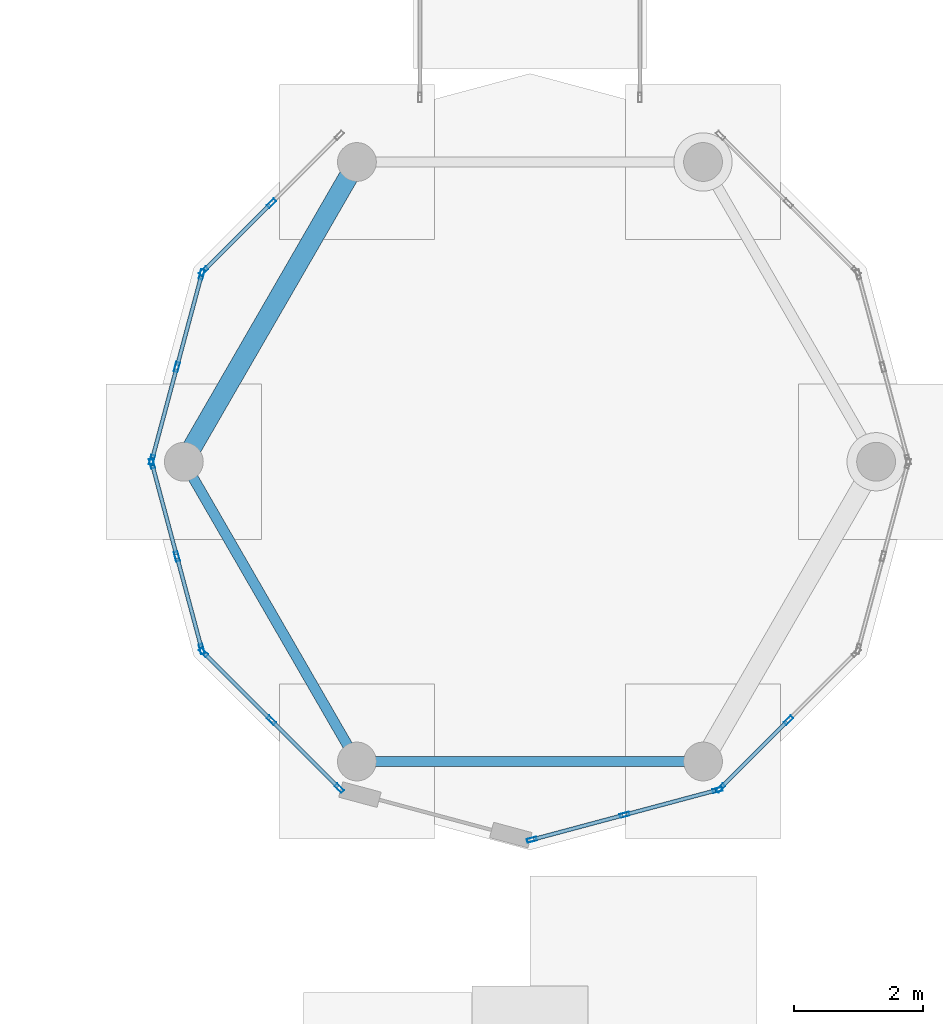
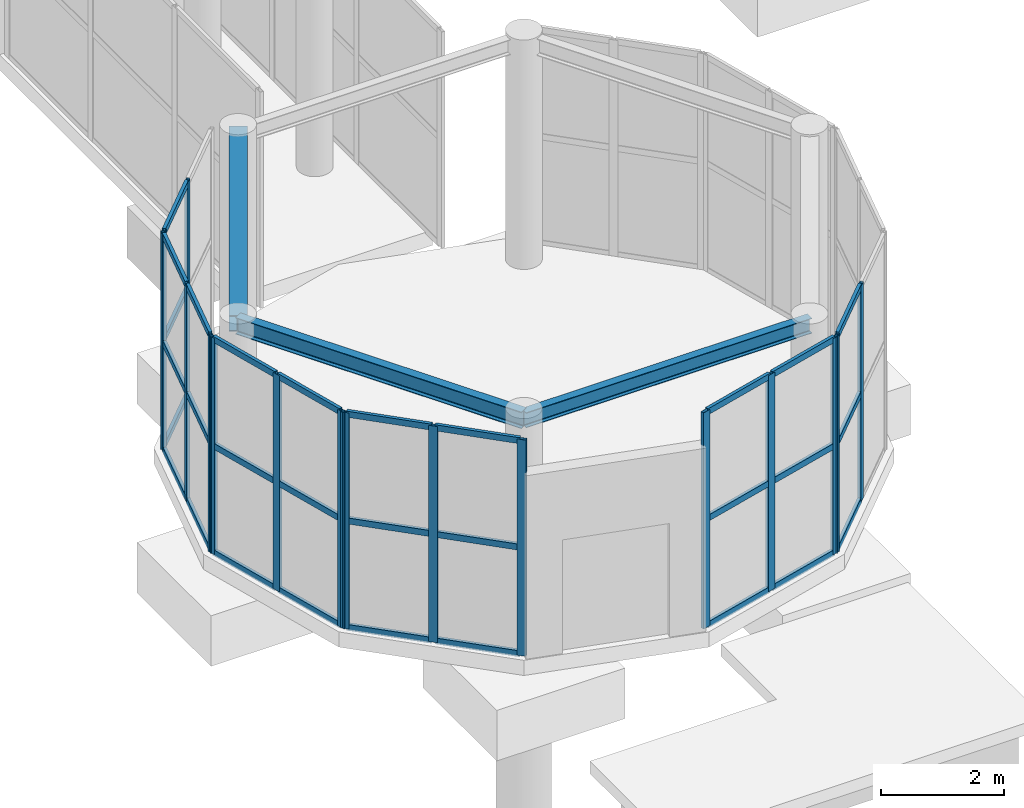
# One storey, part 50 of 139: 46 members, 3 beams, 6 elements without a shape of their own.
"""IFC4 building model written with IfcOpenShell, lengths in metres."""

from ifc_helpers import new_model, si_unit, direction, frame, origin, origin_2d, place, context, subcontext, project, spatial, hollow_rectangle, i_section, extrude, material, layer, layer_set, material_profile, profile_set, type_object, element, aggregate, save


model = new_model("IFC4")

# Units and contexts
model_context = context("Model", 3, precision=1e-05, world=origin(), true_north=direction((0.0, 1.0)))
body_context = subcontext(model_context, "Body", "Model", "MODEL_VIEW")
ifc_project = project(units=[si_unit("LENGTHUNIT", "METRE"), si_unit("AREAUNIT", "SQUARE_METRE"), si_unit("VOLUMEUNIT", "CUBIC_METRE"), si_unit("PLANEANGLEUNIT", "RADIAN"), si_unit("MASSUNIT", "GRAM", prefix="KILO")], contexts=[model_context])

# Site, building, storey
site_placement = place(None, origin())
site = spatial("IfcSite", under=ifc_project, at=site_placement, CompositionType="ELEMENT")
building_placement = place(site_placement, origin())
building = spatial("IfcBuilding", under=site, at=building_placement, Name="Zizhar Promenade General Hospital", CompositionType="ELEMENT")
storey_placement = place(building_placement, origin())
storey = spatial("IfcBuildingStorey", under=building, at=storey_placement, Name="L00", CompositionType="ELEMENT", Elevation=0.0)

# Beams
ifc_material_1 = material(Name="Steel S355", Category="steel")
ifc_material_profile_1 = material_profile(ifc_material_1, i_section(OverallWidth=0.300048828125, OverallDepth=0.320068359375, WebThickness=0.011474609375, FlangeThickness=0.0205078125, FilletRadius=0.027099609375, at=origin_2d()))
ifc_profile_set_1 = profile_set([ifc_material_profile_1], Name="Steel S355")
beam_type_1 = type_object("IfcBeamType", Name="BM-STL-HEB320", PredefinedType="BEAM", material=ifc_profile_set_1)
beam_1_placement = place(storey_placement, frame((161.324951171875, 32.63330078125, 4.340087890625), z_axis=(-0.500001594578, -0.866024483152, 0.0), x_axis=(0.866024483152, -0.500001594578, 0.0)))
element("IfcBeam", 1, at=beam_1_placement, inside=storey, type_object=beam_type_1, Name="PAV-2 Roof Ring Beam 3", PredefinedType="BEAM", context=body_context, shape_type="SweptSolid", body=[
    extrude(i_section(OverallWidth=0.300048828125, OverallDepth=0.320068359375, WebThickness=0.011474609375, FlangeThickness=0.0205078125, FilletRadius=0.027099609375, at=origin_2d()), origin(), (0.0, 0.0, 1.0), 5.35009765625),
])
ifc_material_2 = material(Name="Steel S355", Category="steel")
ifc_material_profile_2 = material_profile(ifc_material_2, i_section(OverallWidth=0.14990234375, OverallDepth=0.300048828125, WebThickness=0.007080078125, FlangeThickness=0.0107421875, FilletRadius=0.014892578125, at=origin_2d()))
ifc_profile_set_2 = profile_set([ifc_material_profile_2], Name="Steel S355")
beam_type_2 = type_object("IfcBeamType", Name="BM-STL-IPE300", PredefinedType="JOIST", material=ifc_profile_set_2)
beam_2_placement = place(storey_placement, frame((161.324951171875, 23.36669921875, 4.340087890625), z_axis=(1.0, 0.0, 0.0), x_axis=(0.0, 1.0, 0.0)))
element("IfcBeam", 2, at=beam_2_placement, inside=storey, type_object=beam_type_2, Name="PAV-2 Roof Ring Beam 5", PredefinedType="JOIST", context=body_context, shape_type="SweptSolid", body=[
    extrude(i_section(OverallWidth=0.14990234375, OverallDepth=0.300048828125, WebThickness=0.007080078125, FlangeThickness=0.0107421875, FilletRadius=0.014892578125, at=origin_2d()), origin(), (0.0, 0.0, 1.0), 5.35009765625),
])
ifc_material_3 = material(Name="Steel S355", Category="steel")
ifc_material_profile_3 = material_profile(ifc_material_3, i_section(OverallWidth=0.159912109375, OverallDepth=0.330078125, WebThickness=0.007568359375, FlangeThickness=0.011474609375, FilletRadius=0.01806640625, at=origin_2d()))
ifc_profile_set_3 = profile_set([ifc_material_profile_3], Name="Steel S355")
beam_type_3 = type_object("IfcBeamType", Name="BM-STL-IPE330", PredefinedType="JOIST", material=ifc_profile_set_3)
beam_3_placement = place(storey_placement, frame((158.64990234375, 28.0, 4.340087890625), z_axis=(0.500001594578, -0.866024483152, 0.0), x_axis=(0.866024483152, 0.500001594578, 0.0)))
element("IfcBeam", 3, at=beam_3_placement, inside=storey, type_object=beam_type_3, Name="PAV-2 Roof Ring Beam 4", PredefinedType="JOIST", context=body_context, shape_type="SweptSolid", body=[
    extrude(i_section(OverallWidth=0.159912109375, OverallDepth=0.330078125, WebThickness=0.007568359375, FlangeThickness=0.011474609375, FilletRadius=0.01806640625, at=origin_2d()), origin(), (0.0, 0.0, 1.0), 5.35009765625),
])

# Curtain wall, members
ifc_material_4 = material(Name="Anodised aluminium 6063-T6 and low-E glass", Category="aluminium")
ifc_layer = layer(ifc_material_4, 0.159912109375)
ifc_layer_set = layer_set([ifc_layer], Name="Anodised aluminium 6063-T6 and low-E glass")
curtain_wall_type = type_object("IfcCurtainWallType", Name="CW-PAV-GLZ", PredefinedType="NOTDEFINED", material=ifc_layer_set)
curtain_wall_1_placement = place(storey_placement, origin())
curtain_wall_1 = element("IfcCurtainWall", 4, at=curtain_wall_1_placement, inside=storey, type_object=curtain_wall_type, Name="Pharmacy Collection Pavilion Curved Glazing 5", PredefinedType="NOTDEFINED")
ifc_material_5 = material(Name="Anodised aluminium 6063-T6", Category="aluminium")
ifc_material_profile_4 = material_profile(ifc_material_5, hollow_rectangle(XDim=0.06005859375, YDim=0.14990234375, WallThickness=0.00390625, at=origin_2d()))
ifc_profile_set_4 = profile_set([ifc_material_profile_4], Name="Anodised aluminium 6063-T6")
member_type_1 = type_object("IfcMemberType", Name="CWM-ALU-150x60", PredefinedType="MULLION", material=ifc_profile_set_4)
member_1_placement = place(storey_placement, frame((158.955078125, 30.9462890625, 0.0), z_axis=(0.0, 0.0, 1.0), x_axis=(-0.707106781187, 0.707106781187, 0.0)))
member_1 = element("IfcMember", 5, at=member_1_placement, type_object=member_type_1, Name="CW-14 mullion 1", PredefinedType="MULLION", context=body_context, shape_type="SweptSolid", body=[
    extrude(hollow_rectangle(XDim=0.06005859375, YDim=0.14990234375, WallThickness=0.00390625, at=origin_2d()), origin(), (0.0, 0.0, 1.0), 4.280029296875),
])
member_2_placement = place(storey_placement, frame((160.00439453125, 31.99560546875, 0.0), z_axis=(0.0, 0.0, 1.0), x_axis=(-0.707106781187, 0.707106781187, 0.0)))
member_2 = element("IfcMember", 6, at=member_2_placement, type_object=member_type_1, Name="CW-14 mullion 2", PredefinedType="MULLION", context=body_context, shape_type="SweptSolid", body=[
    extrude(hollow_rectangle(XDim=0.06005859375, YDim=0.14990234375, WallThickness=0.00390625, at=origin_2d()), origin(), (0.0, 0.0, 1.0), 4.280029296875),
])

curtain_wall_2_placement = place(storey_placement, origin())
curtain_wall_2 = element("IfcCurtainWall", 7, at=curtain_wall_2_placement, inside=storey, type_object=curtain_wall_type, Name="Pharmacy Collection Pavilion Curved Glazing 6", PredefinedType="NOTDEFINED")
member_3_placement = place(storey_placement, frame((158.15771484375, 28.029052734375, 0.0), z_axis=(0.0, 0.0, 1.0), x_axis=(-0.965921812881, 0.25883402288, 0.0)))
member_3 = element("IfcMember", 8, at=member_3_placement, type_object=member_type_1, Name="CW-14 mullion 1", PredefinedType="MULLION", context=body_context, shape_type="SweptSolid", body=[
    extrude(hollow_rectangle(XDim=0.06005859375, YDim=0.14990234375, WallThickness=0.00390625, at=origin_2d()), origin(), (0.0, 0.0, 1.0), 4.280029296875),
])
member_4_placement = place(storey_placement, frame((158.5419921875, 29.46240234375, 0.0), z_axis=(0.0, 0.0, 1.0), x_axis=(-0.965921812881, 0.25883402288, 0.0)))
member_4 = element("IfcMember", 9, at=member_4_placement, type_object=member_type_1, Name="CW-14 mullion 2", PredefinedType="MULLION", context=body_context, shape_type="SweptSolid", body=[
    extrude(hollow_rectangle(XDim=0.06005859375, YDim=0.14990234375, WallThickness=0.00390625, at=origin_2d()), origin(), (0.0, 0.0, 1.0), 4.280029296875),
])
member_5_placement = place(storey_placement, frame((158.926025390625, 30.89599609375, 0.0), z_axis=(0.0, 0.0, 1.0), x_axis=(-0.965921812881, 0.25883402288, 0.0)))
member_5 = element("IfcMember", 10, at=member_5_placement, type_object=member_type_1, Name="CW-14 mullion 3", PredefinedType="MULLION", context=body_context, shape_type="SweptSolid", body=[
    extrude(hollow_rectangle(XDim=0.06005859375, YDim=0.14990234375, WallThickness=0.00390625, at=origin_2d()), origin(), (0.0, 0.0, 1.0), 4.280029296875),
])

curtain_wall_3_placement = place(storey_placement, origin())
curtain_wall_3 = element("IfcCurtainWall", 11, at=curtain_wall_3_placement, inside=storey, type_object=curtain_wall_type, Name="Pharmacy Collection Pavilion Curved Glazing 7", PredefinedType="NOTDEFINED")
member_6_placement = place(storey_placement, frame((158.926025390625, 25.10400390625, 0.0), z_axis=(0.0, 0.0, 1.0), x_axis=(-0.965921812881, -0.25883402288, 0.0)))
member_6 = element("IfcMember", 12, at=member_6_placement, type_object=member_type_1, Name="CW-14 mullion 1", PredefinedType="MULLION", context=body_context, shape_type="SweptSolid", body=[
    extrude(hollow_rectangle(XDim=0.06005859375, YDim=0.14990234375, WallThickness=0.00390625, at=origin_2d()), origin(), (0.0, 0.0, 1.0), 4.280029296875),
])
member_7_placement = place(storey_placement, frame((158.5419921875, 26.53759765625, 0.0), z_axis=(0.0, 0.0, 1.0), x_axis=(-0.965921812881, -0.25883402288, 0.0)))
member_7 = element("IfcMember", 13, at=member_7_placement, type_object=member_type_1, Name="CW-14 mullion 2", PredefinedType="MULLION", context=body_context, shape_type="SweptSolid", body=[
    extrude(hollow_rectangle(XDim=0.06005859375, YDim=0.14990234375, WallThickness=0.00390625, at=origin_2d()), origin(), (0.0, 0.0, 1.0), 4.280029296875),
])
member_8_placement = place(storey_placement, frame((158.15771484375, 27.970947265625, 0.0), z_axis=(0.0, 0.0, 1.0), x_axis=(-0.965921812881, -0.25883402288, 0.0)))
member_8 = element("IfcMember", 14, at=member_8_placement, type_object=member_type_1, Name="CW-14 mullion 3", PredefinedType="MULLION", context=body_context, shape_type="SweptSolid", body=[
    extrude(hollow_rectangle(XDim=0.06005859375, YDim=0.14990234375, WallThickness=0.00390625, at=origin_2d()), origin(), (0.0, 0.0, 1.0), 4.280029296875),
])

curtain_wall_4_placement = place(storey_placement, origin())
curtain_wall_4 = element("IfcCurtainWall", 15, at=curtain_wall_4_placement, inside=storey, type_object=curtain_wall_type, Name="Pharmacy Collection Pavilion Curved Glazing 8", PredefinedType="NOTDEFINED")
member_9_placement = place(storey_placement, frame((161.0537109375, 22.955078125, 0.0), z_axis=(0.0, 0.0, 1.0), x_axis=(-0.707106781187, -0.707106781187, 0.0)))
member_9 = element("IfcMember", 16, at=member_9_placement, type_object=member_type_1, Name="CW-14 mullion 1", PredefinedType="MULLION", context=body_context, shape_type="SweptSolid", body=[
    extrude(hollow_rectangle(XDim=0.06005859375, YDim=0.14990234375, WallThickness=0.00390625, at=origin_2d()), origin(), (0.0, 0.0, 1.0), 4.280029296875),
])
member_10_placement = place(storey_placement, frame((160.00439453125, 24.00439453125, 0.0), z_axis=(0.0, 0.0, 1.0), x_axis=(-0.707106781187, -0.707106781187, 0.0)))
member_10 = element("IfcMember", 17, at=member_10_placement, type_object=member_type_1, Name="CW-14 mullion 2", PredefinedType="MULLION", context=body_context, shape_type="SweptSolid", body=[
    extrude(hollow_rectangle(XDim=0.06005859375, YDim=0.14990234375, WallThickness=0.00390625, at=origin_2d()), origin(), (0.0, 0.0, 1.0), 4.280029296875),
])
member_11_placement = place(storey_placement, frame((158.955078125, 25.0537109375, 0.0), z_axis=(0.0, 0.0, 1.0), x_axis=(-0.707106781187, -0.707106781187, 0.0)))
member_11 = element("IfcMember", 18, at=member_11_placement, type_object=member_type_1, Name="CW-14 mullion 3", PredefinedType="MULLION", context=body_context, shape_type="SweptSolid", body=[
    extrude(hollow_rectangle(XDim=0.06005859375, YDim=0.14990234375, WallThickness=0.00390625, at=origin_2d()), origin(), (0.0, 0.0, 1.0), 4.280029296875),
])

curtain_wall_5_placement = place(storey_placement, origin())
curtain_wall_5 = element("IfcCurtainWall", 19, at=curtain_wall_5_placement, inside=storey, type_object=curtain_wall_type, Name="Pharmacy Collection Pavilion Curved Glazing 10", PredefinedType="NOTDEFINED")
member_12_placement = place(storey_placement, frame((166.89599609375, 22.926025390625, 0.0), z_axis=(0.0, 0.0, 1.0), x_axis=(0.25883402288, -0.965921812881, 0.0)))
member_12 = element("IfcMember", 20, at=member_12_placement, type_object=member_type_1, Name="CW-14 mullion 1", PredefinedType="MULLION", context=body_context, shape_type="SweptSolid", body=[
    extrude(hollow_rectangle(XDim=0.06005859375, YDim=0.14990234375, WallThickness=0.00390625, at=origin_2d()), origin(), (0.0, 0.0, 1.0), 4.280029296875),
])
member_13_placement = place(storey_placement, frame((165.46240234375, 22.5419921875, 0.0), z_axis=(0.0, 0.0, 1.0), x_axis=(0.25883402288, -0.965921812881, 0.0)))
member_13 = element("IfcMember", 21, at=member_13_placement, type_object=member_type_1, Name="CW-14 mullion 2", PredefinedType="MULLION", context=body_context, shape_type="SweptSolid", body=[
    extrude(hollow_rectangle(XDim=0.06005859375, YDim=0.14990234375, WallThickness=0.00390625, at=origin_2d()), origin(), (0.0, 0.0, 1.0), 4.280029296875),
])
member_14_placement = place(storey_placement, frame((164.029052734375, 22.15771484375, 0.0), z_axis=(0.0, 0.0, 1.0), x_axis=(0.25883402288, -0.965921812881, 0.0)))
member_14 = element("IfcMember", 22, at=member_14_placement, type_object=member_type_1, Name="CW-14 mullion 3", PredefinedType="MULLION", context=body_context, shape_type="SweptSolid", body=[
    extrude(hollow_rectangle(XDim=0.06005859375, YDim=0.14990234375, WallThickness=0.00390625, at=origin_2d()), origin(), (0.0, 0.0, 1.0), 4.280029296875),
])

curtain_wall_6_placement = place(storey_placement, origin())
curtain_wall_6 = element("IfcCurtainWall", 23, at=curtain_wall_6_placement, inside=storey, type_object=curtain_wall_type, Name="Pharmacy Collection Pavilion Curved Glazing 11", PredefinedType="NOTDEFINED")
member_15_placement = place(storey_placement, frame((167.99560546875, 24.00439453125, 0.0), z_axis=(0.0, 0.0, 1.0), x_axis=(0.707106781187, -0.707106781187, 0.0)))
member_15 = element("IfcMember", 24, at=member_15_placement, type_object=member_type_1, Name="CW-14 mullion 2", PredefinedType="MULLION", context=body_context, shape_type="SweptSolid", body=[
    extrude(hollow_rectangle(XDim=0.06005859375, YDim=0.14990234375, WallThickness=0.00390625, at=origin_2d()), origin(), (0.0, 0.0, 1.0), 4.280029296875),
])
member_16_placement = place(storey_placement, frame((166.9462890625, 22.955078125, 0.0), z_axis=(0.0, 0.0, 1.0), x_axis=(0.707106781187, -0.707106781187, 0.0)))
member_16 = element("IfcMember", 25, at=member_16_placement, type_object=member_type_1, Name="CW-14 mullion 3", PredefinedType="MULLION", context=body_context, shape_type="SweptSolid", body=[
    extrude(hollow_rectangle(XDim=0.06005859375, YDim=0.14990234375, WallThickness=0.00390625, at=origin_2d()), origin(), (0.0, 0.0, 1.0), 4.280029296875),
])

# Member
ifc_material_6 = material(Name="Anodised aluminium 6063-T6", Category="aluminium")
ifc_material_profile_5 = material_profile(ifc_material_6, hollow_rectangle(XDim=0.06005859375, YDim=0.1201171875, WallThickness=0.00390625, at=origin_2d()))
ifc_profile_set_5 = profile_set([ifc_material_profile_5], Name="Anodised aluminium 6063-T6")
member_type_2 = type_object("IfcMemberType", Name="CWT-ALU-120x60", PredefinedType="USERDEFINED", material=ifc_profile_set_5)
member_17_placement = place(storey_placement, frame((158.976318359375, 30.967529296875, 0.030029296875), z_axis=(0.707106781187, 0.707106781187, 0.0), x_axis=(-0.707106781187, 0.707106781187, 0.0)))
member_17 = element("IfcMember", 26, at=member_17_placement, type_object=member_type_2, Name="CW-14 transom 1.1", ObjectType="TRANSOM", PredefinedType="USERDEFINED", context=body_context, shape_type="SweptSolid", body=[
    extrude(hollow_rectangle(XDim=0.06005859375, YDim=0.1201171875, WallThickness=0.00390625, at=origin_2d()), origin(), (0.0, 0.0, 1.0), 1.423828125),
])

member_18_placement = place(storey_placement, frame((158.976318359375, 30.967529296875, 2.139892578125), z_axis=(0.707106781187, 0.707106781187, 0.0), x_axis=(-0.707106781187, 0.707106781187, 0.0)))
member_18 = element("IfcMember", 27, at=member_18_placement, type_object=member_type_2, Name="CW-14 transom 1.2", ObjectType="TRANSOM", PredefinedType="USERDEFINED", context=body_context, shape_type="SweptSolid", body=[
    extrude(hollow_rectangle(XDim=0.06005859375, YDim=0.1201171875, WallThickness=0.00390625, at=origin_2d()), origin(), (0.0, 0.0, 1.0), 1.423828125),
])

member_19_placement = place(storey_placement, frame((158.976318359375, 30.967529296875, 4.25), z_axis=(0.707106781187, 0.707106781187, 0.0), x_axis=(-0.707106781187, 0.707106781187, 0.0)))
member_19 = element("IfcMember", 28, at=member_19_placement, type_object=member_type_2, Name="CW-14 transom 1.3", ObjectType="TRANSOM", PredefinedType="USERDEFINED", context=body_context, shape_type="SweptSolid", body=[
    extrude(hollow_rectangle(XDim=0.06005859375, YDim=0.1201171875, WallThickness=0.00390625, at=origin_2d()), origin(), (0.0, 0.0, 1.0), 1.423828125),
])

aggregate(curtain_wall_1, [member_1, member_2, member_17, member_18, member_19])

member_20_placement = place(storey_placement, frame((158.16552734375, 28.057861328125, 0.030029296875), z_axis=(0.258836045938, 0.965921270769, 0.0), x_axis=(-0.965921270769, 0.258836045938, 0.0)))
member_20 = element("IfcMember", 29, at=member_20_placement, type_object=member_type_2, Name="CW-14 transom 1.1", ObjectType="TRANSOM", PredefinedType="USERDEFINED", context=body_context, shape_type="SweptSolid", body=[
    extrude(hollow_rectangle(XDim=0.06005859375, YDim=0.1201171875, WallThickness=0.00390625, at=origin_2d()), origin(), (0.0, 0.0, 1.0), 1.42431640625),
])

member_21_placement = place(storey_placement, frame((158.16552734375, 28.057861328125, 2.139892578125), z_axis=(0.258836045938, 0.965921270769, 0.0), x_axis=(-0.965921270769, 0.258836045938, 0.0)))
member_21 = element("IfcMember", 30, at=member_21_placement, type_object=member_type_2, Name="CW-14 transom 1.2", ObjectType="TRANSOM", PredefinedType="USERDEFINED", context=body_context, shape_type="SweptSolid", body=[
    extrude(hollow_rectangle(XDim=0.06005859375, YDim=0.1201171875, WallThickness=0.00390625, at=origin_2d()), origin(), (0.0, 0.0, 1.0), 1.42431640625),
])

member_22_placement = place(storey_placement, frame((158.16552734375, 28.057861328125, 4.25), z_axis=(0.258836045938, 0.965921270769, 0.0), x_axis=(-0.965921270769, 0.258836045938, 0.0)))
member_22 = element("IfcMember", 31, at=member_22_placement, type_object=member_type_2, Name="CW-14 transom 1.3", ObjectType="TRANSOM", PredefinedType="USERDEFINED", context=body_context, shape_type="SweptSolid", body=[
    extrude(hollow_rectangle(XDim=0.06005859375, YDim=0.1201171875, WallThickness=0.00390625, at=origin_2d()), origin(), (0.0, 0.0, 1.0), 1.42431640625),
])

member_23_placement = place(storey_placement, frame((158.549560546875, 29.491455078125, 0.030029296875), z_axis=(0.258878909043, 0.965909783806, 0.0), x_axis=(-0.965909783806, 0.258878909043, 0.0)))
member_23 = element("IfcMember", 32, at=member_23_placement, type_object=member_type_2, Name="CW-14 transom 2.1", ObjectType="TRANSOM", PredefinedType="USERDEFINED", context=body_context, shape_type="SweptSolid", body=[
    extrude(hollow_rectangle(XDim=0.06005859375, YDim=0.1201171875, WallThickness=0.00390625, at=origin_2d()), origin(), (0.0, 0.0, 1.0), 1.424072265625),
])

member_24_placement = place(storey_placement, frame((158.549560546875, 29.491455078125, 2.139892578125), z_axis=(0.258878909043, 0.965909783806, 0.0), x_axis=(-0.965909783806, 0.258878909043, 0.0)))
member_24 = element("IfcMember", 33, at=member_24_placement, type_object=member_type_2, Name="CW-14 transom 2.2", ObjectType="TRANSOM", PredefinedType="USERDEFINED", context=body_context, shape_type="SweptSolid", body=[
    extrude(hollow_rectangle(XDim=0.06005859375, YDim=0.1201171875, WallThickness=0.00390625, at=origin_2d()), origin(), (0.0, 0.0, 1.0), 1.424072265625),
])

member_25_placement = place(storey_placement, frame((158.549560546875, 29.491455078125, 4.25), z_axis=(0.258878909043, 0.965909783806, 0.0), x_axis=(-0.965909783806, 0.258878909043, 0.0)))
member_25 = element("IfcMember", 34, at=member_25_placement, type_object=member_type_2, Name="CW-14 transom 2.3", ObjectType="TRANSOM", PredefinedType="USERDEFINED", context=body_context, shape_type="SweptSolid", body=[
    extrude(hollow_rectangle(XDim=0.06005859375, YDim=0.1201171875, WallThickness=0.00390625, at=origin_2d()), origin(), (0.0, 0.0, 1.0), 1.424072265625),
])

aggregate(curtain_wall_2, [member_3, member_4, member_5, member_20, member_21, member_22, member_23, member_24, member_25])

member_26_placement = place(storey_placement, frame((158.918212890625, 25.133056640625, 0.030029296875), z_axis=(-0.258878909043, 0.965909783806, 0.0), x_axis=(-0.965909783806, -0.258878909043, 0.0)))
member_26 = element("IfcMember", 35, at=member_26_placement, type_object=member_type_2, Name="CW-14 transom 1.1", ObjectType="TRANSOM", PredefinedType="USERDEFINED", context=body_context, shape_type="SweptSolid", body=[
    extrude(hollow_rectangle(XDim=0.06005859375, YDim=0.1201171875, WallThickness=0.00390625, at=origin_2d()), origin(), (0.0, 0.0, 1.0), 1.424072265625),
])

member_27_placement = place(storey_placement, frame((158.918212890625, 25.133056640625, 2.139892578125), z_axis=(-0.258878909043, 0.965909783806, 0.0), x_axis=(-0.965909783806, -0.258878909043, 0.0)))
member_27 = element("IfcMember", 36, at=member_27_placement, type_object=member_type_2, Name="CW-14 transom 1.2", ObjectType="TRANSOM", PredefinedType="USERDEFINED", context=body_context, shape_type="SweptSolid", body=[
    extrude(hollow_rectangle(XDim=0.06005859375, YDim=0.1201171875, WallThickness=0.00390625, at=origin_2d()), origin(), (0.0, 0.0, 1.0), 1.424072265625),
])

member_28_placement = place(storey_placement, frame((158.918212890625, 25.133056640625, 4.25), z_axis=(-0.258878909043, 0.965909783806, 0.0), x_axis=(-0.965909783806, -0.258878909043, 0.0)))
member_28 = element("IfcMember", 37, at=member_28_placement, type_object=member_type_2, Name="CW-14 transom 1.3", ObjectType="TRANSOM", PredefinedType="USERDEFINED", context=body_context, shape_type="SweptSolid", body=[
    extrude(hollow_rectangle(XDim=0.06005859375, YDim=0.1201171875, WallThickness=0.00390625, at=origin_2d()), origin(), (0.0, 0.0, 1.0), 1.424072265625),
])

member_29_placement = place(storey_placement, frame((158.5341796875, 26.56640625, 0.030029296875), z_axis=(-0.258836045938, 0.965921270769, 0.0), x_axis=(-0.965921270769, -0.258836045938, 0.0)))
member_29 = element("IfcMember", 38, at=member_29_placement, type_object=member_type_2, Name="CW-14 transom 2.1", ObjectType="TRANSOM", PredefinedType="USERDEFINED", context=body_context, shape_type="SweptSolid", body=[
    extrude(hollow_rectangle(XDim=0.06005859375, YDim=0.1201171875, WallThickness=0.00390625, at=origin_2d()), origin(), (0.0, 0.0, 1.0), 1.42431640625),
])

member_30_placement = place(storey_placement, frame((158.5341796875, 26.56640625, 2.139892578125), z_axis=(-0.258836045938, 0.965921270769, 0.0), x_axis=(-0.965921270769, -0.258836045938, 0.0)))
member_30 = element("IfcMember", 39, at=member_30_placement, type_object=member_type_2, Name="CW-14 transom 2.2", ObjectType="TRANSOM", PredefinedType="USERDEFINED", context=body_context, shape_type="SweptSolid", body=[
    extrude(hollow_rectangle(XDim=0.06005859375, YDim=0.1201171875, WallThickness=0.00390625, at=origin_2d()), origin(), (0.0, 0.0, 1.0), 1.42431640625),
])

member_31_placement = place(storey_placement, frame((158.5341796875, 26.56640625, 4.25), z_axis=(-0.258836045938, 0.965921270769, 0.0), x_axis=(-0.965921270769, -0.258836045938, 0.0)))
member_31 = element("IfcMember", 40, at=member_31_placement, type_object=member_type_2, Name="CW-14 transom 2.3", ObjectType="TRANSOM", PredefinedType="USERDEFINED", context=body_context, shape_type="SweptSolid", body=[
    extrude(hollow_rectangle(XDim=0.06005859375, YDim=0.1201171875, WallThickness=0.00390625, at=origin_2d()), origin(), (0.0, 0.0, 1.0), 1.42431640625),
])

aggregate(curtain_wall_3, [member_6, member_7, member_8, member_26, member_27, member_28, member_29, member_30, member_31])

member_32_placement = place(storey_placement, frame((161.032470703125, 22.976318359375, 0.030029296875), z_axis=(-0.707106781187, 0.707106781187, 0.0), x_axis=(-0.707106781187, -0.707106781187, 0.0)))
member_32 = element("IfcMember", 41, at=member_32_placement, type_object=member_type_2, Name="CW-14 transom 1.1", ObjectType="TRANSOM", PredefinedType="USERDEFINED", context=body_context, shape_type="SweptSolid", body=[
    extrude(hollow_rectangle(XDim=0.06005859375, YDim=0.1201171875, WallThickness=0.00390625, at=origin_2d()), origin(), (0.0, 0.0, 1.0), 1.423828125),
])

member_33_placement = place(storey_placement, frame((161.032470703125, 22.976318359375, 2.139892578125), z_axis=(-0.707106781187, 0.707106781187, 0.0), x_axis=(-0.707106781187, -0.707106781187, 0.0)))
member_33 = element("IfcMember", 42, at=member_33_placement, type_object=member_type_2, Name="CW-14 transom 1.2", ObjectType="TRANSOM", PredefinedType="USERDEFINED", context=body_context, shape_type="SweptSolid", body=[
    extrude(hollow_rectangle(XDim=0.06005859375, YDim=0.1201171875, WallThickness=0.00390625, at=origin_2d()), origin(), (0.0, 0.0, 1.0), 1.423828125),
])

member_34_placement = place(storey_placement, frame((161.032470703125, 22.976318359375, 4.25), z_axis=(-0.707106781187, 0.707106781187, 0.0), x_axis=(-0.707106781187, -0.707106781187, 0.0)))
member_34 = element("IfcMember", 43, at=member_34_placement, type_object=member_type_2, Name="CW-14 transom 1.3", ObjectType="TRANSOM", PredefinedType="USERDEFINED", context=body_context, shape_type="SweptSolid", body=[
    extrude(hollow_rectangle(XDim=0.06005859375, YDim=0.1201171875, WallThickness=0.00390625, at=origin_2d()), origin(), (0.0, 0.0, 1.0), 1.423828125),
])

member_35_placement = place(storey_placement, frame((159.983154296875, 24.025634765625, 0.030029296875), z_axis=(-0.707106781187, 0.707106781187, 0.0), x_axis=(-0.707106781187, -0.707106781187, 0.0)))
member_35 = element("IfcMember", 44, at=member_35_placement, type_object=member_type_2, Name="CW-14 transom 2.1", ObjectType="TRANSOM", PredefinedType="USERDEFINED", context=body_context, shape_type="SweptSolid", body=[
    extrude(hollow_rectangle(XDim=0.06005859375, YDim=0.1201171875, WallThickness=0.00390625, at=origin_2d()), origin(), (0.0, 0.0, 1.0), 1.423828125),
])

member_36_placement = place(storey_placement, frame((159.983154296875, 24.025634765625, 2.139892578125), z_axis=(-0.707106781187, 0.707106781187, 0.0), x_axis=(-0.707106781187, -0.707106781187, 0.0)))
member_36 = element("IfcMember", 45, at=member_36_placement, type_object=member_type_2, Name="CW-14 transom 2.2", ObjectType="TRANSOM", PredefinedType="USERDEFINED", context=body_context, shape_type="SweptSolid", body=[
    extrude(hollow_rectangle(XDim=0.06005859375, YDim=0.1201171875, WallThickness=0.00390625, at=origin_2d()), origin(), (0.0, 0.0, 1.0), 1.423828125),
])

member_37_placement = place(storey_placement, frame((159.983154296875, 24.025634765625, 4.25), z_axis=(-0.707106781187, 0.707106781187, 0.0), x_axis=(-0.707106781187, -0.707106781187, 0.0)))
member_37 = element("IfcMember", 46, at=member_37_placement, type_object=member_type_2, Name="CW-14 transom 2.3", ObjectType="TRANSOM", PredefinedType="USERDEFINED", context=body_context, shape_type="SweptSolid", body=[
    extrude(hollow_rectangle(XDim=0.06005859375, YDim=0.1201171875, WallThickness=0.00390625, at=origin_2d()), origin(), (0.0, 0.0, 1.0), 1.423828125),
])

aggregate(curtain_wall_4, [member_9, member_10, member_11, member_32, member_33, member_34, member_35, member_36, member_37])

member_38_placement = place(storey_placement, frame((166.866943359375, 22.918212890625, 0.030029296875), z_axis=(-0.965909783806, -0.258878909043, 0.0), x_axis=(0.258878909043, -0.965909783806, 0.0)))
member_38 = element("IfcMember", 47, at=member_38_placement, type_object=member_type_2, Name="CW-14 transom 1.1", ObjectType="TRANSOM", PredefinedType="USERDEFINED", context=body_context, shape_type="SweptSolid", body=[
    extrude(hollow_rectangle(XDim=0.06005859375, YDim=0.1201171875, WallThickness=0.00390625, at=origin_2d()), origin(), (0.0, 0.0, 1.0), 1.424072265625),
])

member_39_placement = place(storey_placement, frame((166.866943359375, 22.918212890625, 2.139892578125), z_axis=(-0.965909783806, -0.258878909043, 0.0), x_axis=(0.258878909043, -0.965909783806, 0.0)))
member_39 = element("IfcMember", 48, at=member_39_placement, type_object=member_type_2, Name="CW-14 transom 1.2", ObjectType="TRANSOM", PredefinedType="USERDEFINED", context=body_context, shape_type="SweptSolid", body=[
    extrude(hollow_rectangle(XDim=0.06005859375, YDim=0.1201171875, WallThickness=0.00390625, at=origin_2d()), origin(), (0.0, 0.0, 1.0), 1.424072265625),
])

member_40_placement = place(storey_placement, frame((166.866943359375, 22.918212890625, 4.25), z_axis=(-0.965909783806, -0.258878909043, 0.0), x_axis=(0.258878909043, -0.965909783806, 0.0)))
member_40 = element("IfcMember", 49, at=member_40_placement, type_object=member_type_2, Name="CW-14 transom 1.3", ObjectType="TRANSOM", PredefinedType="USERDEFINED", context=body_context, shape_type="SweptSolid", body=[
    extrude(hollow_rectangle(XDim=0.06005859375, YDim=0.1201171875, WallThickness=0.00390625, at=origin_2d()), origin(), (0.0, 0.0, 1.0), 1.424072265625),
])

member_41_placement = place(storey_placement, frame((165.43359375, 22.5341796875, 0.030029296875), z_axis=(-0.965921270769, -0.258836045938, 0.0), x_axis=(0.258836045938, -0.965921270769, 0.0)))
member_41 = element("IfcMember", 50, at=member_41_placement, type_object=member_type_2, Name="CW-14 transom 2.1", ObjectType="TRANSOM", PredefinedType="USERDEFINED", context=body_context, shape_type="SweptSolid", body=[
    extrude(hollow_rectangle(XDim=0.06005859375, YDim=0.1201171875, WallThickness=0.00390625, at=origin_2d()), origin(), (0.0, 0.0, 1.0), 1.42431640625),
])

member_42_placement = place(storey_placement, frame((165.43359375, 22.5341796875, 2.139892578125), z_axis=(-0.965921270769, -0.258836045938, 0.0), x_axis=(0.258836045938, -0.965921270769, 0.0)))
member_42 = element("IfcMember", 51, at=member_42_placement, type_object=member_type_2, Name="CW-14 transom 2.2", ObjectType="TRANSOM", PredefinedType="USERDEFINED", context=body_context, shape_type="SweptSolid", body=[
    extrude(hollow_rectangle(XDim=0.06005859375, YDim=0.1201171875, WallThickness=0.00390625, at=origin_2d()), origin(), (0.0, 0.0, 1.0), 1.42431640625),
])

member_43_placement = place(storey_placement, frame((165.43359375, 22.5341796875, 4.25), z_axis=(-0.965921270769, -0.258836045938, 0.0), x_axis=(0.258836045938, -0.965921270769, 0.0)))
member_43 = element("IfcMember", 52, at=member_43_placement, type_object=member_type_2, Name="CW-14 transom 2.3", ObjectType="TRANSOM", PredefinedType="USERDEFINED", context=body_context, shape_type="SweptSolid", body=[
    extrude(hollow_rectangle(XDim=0.06005859375, YDim=0.1201171875, WallThickness=0.00390625, at=origin_2d()), origin(), (0.0, 0.0, 1.0), 1.42431640625),
])

aggregate(curtain_wall_5, [member_12, member_13, member_14, member_38, member_39, member_40, member_41, member_42, member_43])

member_44_placement = place(storey_placement, frame((167.974365234375, 23.983154296875, 0.030029296875), z_axis=(-0.707106781187, -0.707106781187, 0.0), x_axis=(0.707106781187, -0.707106781187, 0.0)))
member_44 = element("IfcMember", 53, at=member_44_placement, type_object=member_type_2, Name="CW-14 transom 2.1", ObjectType="TRANSOM", PredefinedType="USERDEFINED", context=body_context, shape_type="SweptSolid", body=[
    extrude(hollow_rectangle(XDim=0.06005859375, YDim=0.1201171875, WallThickness=0.00390625, at=origin_2d()), origin(), (0.0, 0.0, 1.0), 1.423828125),
])

member_45_placement = place(storey_placement, frame((167.974365234375, 23.983154296875, 2.139892578125), z_axis=(-0.707106781187, -0.707106781187, 0.0), x_axis=(0.707106781187, -0.707106781187, 0.0)))
member_45 = element("IfcMember", 54, at=member_45_placement, type_object=member_type_2, Name="CW-14 transom 2.2", ObjectType="TRANSOM", PredefinedType="USERDEFINED", context=body_context, shape_type="SweptSolid", body=[
    extrude(hollow_rectangle(XDim=0.06005859375, YDim=0.1201171875, WallThickness=0.00390625, at=origin_2d()), origin(), (0.0, 0.0, 1.0), 1.423828125),
])

member_46_placement = place(storey_placement, frame((167.974365234375, 23.983154296875, 4.25), z_axis=(-0.707106781187, -0.707106781187, 0.0), x_axis=(0.707106781187, -0.707106781187, 0.0)))
member_46 = element("IfcMember", 55, at=member_46_placement, type_object=member_type_2, Name="CW-14 transom 2.3", ObjectType="TRANSOM", PredefinedType="USERDEFINED", context=body_context, shape_type="SweptSolid", body=[
    extrude(hollow_rectangle(XDim=0.06005859375, YDim=0.1201171875, WallThickness=0.00390625, at=origin_2d()), origin(), (0.0, 0.0, 1.0), 1.423828125),
])

aggregate(curtain_wall_6, [member_15, member_16, member_44, member_45, member_46])

save(model, "model.ifc")
